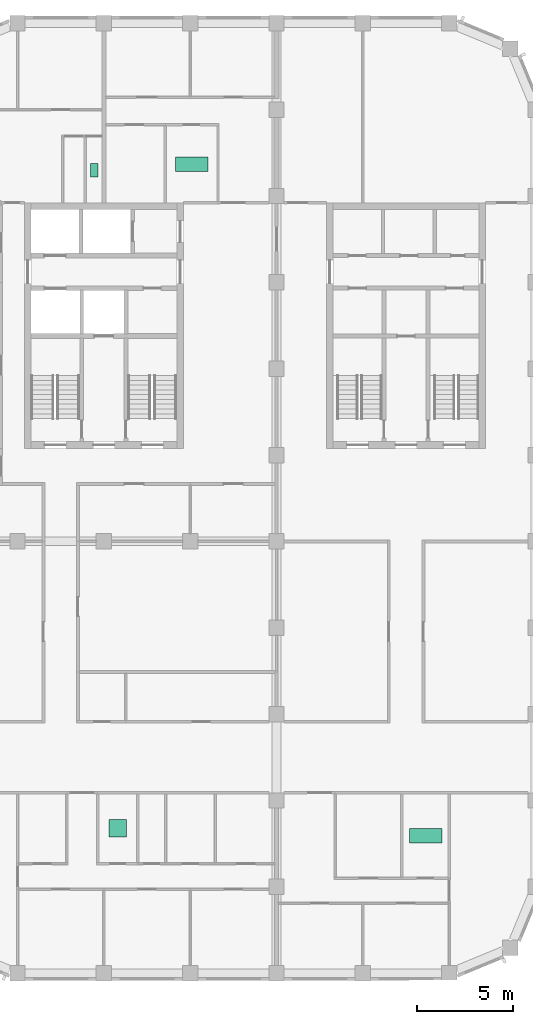
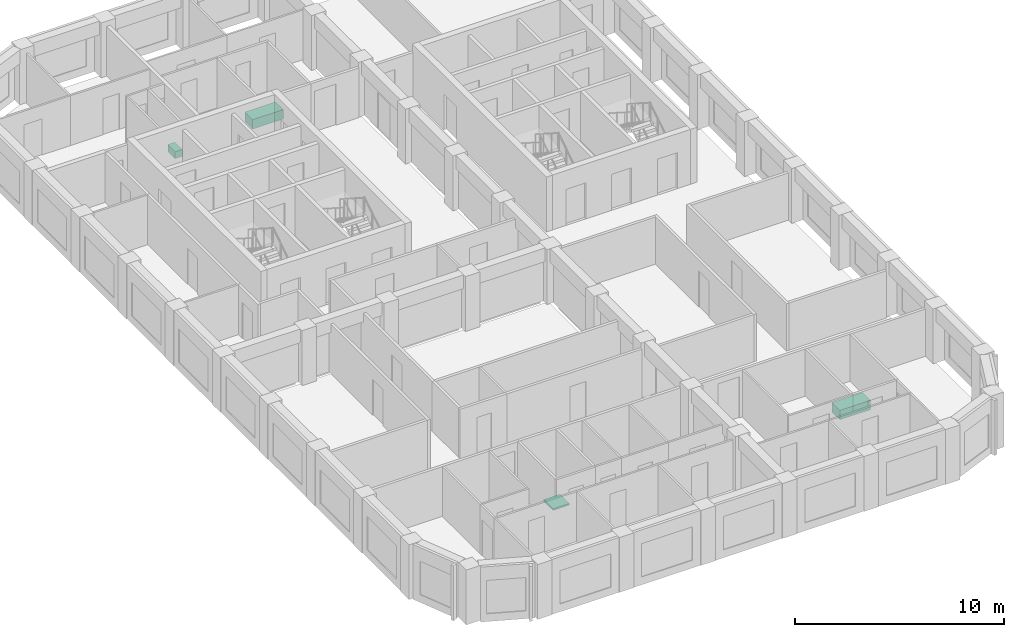
# One storey, part 10 of 10: 4 sanitary terminals.
"""IFC4 building model written with IfcOpenShell, lengths in metres."""

from ifc_helpers import new_model, si_unit, direction, frame, origin, origin_2d, place, context, subcontext, project, spatial, rectangle, extrude, material, type_object, element, save


model = new_model("IFC4")

# Units and contexts
model_context = context("Model", 3, precision=1e-05, world=origin(), true_north=direction((0.0, 1.0)))
body_context = subcontext(model_context, "Body", "Model", "MODEL_VIEW")
ifc_project = project(units=[si_unit("LENGTHUNIT", "METRE"), si_unit("AREAUNIT", "SQUARE_METRE"), si_unit("VOLUMEUNIT", "CUBIC_METRE"), si_unit("PLANEANGLEUNIT", "RADIAN"), si_unit("MASSUNIT", "GRAM", prefix="KILO")], contexts=[model_context])

# Site, building, storey
site_placement = place(None, origin())
site = spatial("IfcSite", under=ifc_project, at=site_placement, CompositionType="ELEMENT")
building_placement = place(site_placement, origin())
building = spatial("IfcBuilding", under=site, at=building_placement, Name="Girih Gate Residences", CompositionType="ELEMENT")
storey_placement = place(building_placement, frame((0.0, 0.0, 195.5)))
storey = spatial("IfcBuildingStorey", under=building, at=storey_placement, Name="L54", CompositionType="ELEMENT", Elevation=195.5)

# Sanitary terminals
ifc_material_1 = material(Name="Acrylic")
sanitary_terminal_type_1 = type_object("IfcSanitaryTerminalType", Name="Bath 1700", PredefinedType="BATH", material=ifc_material_1)
for number, where, z_axis, x_axis, name in (
    (1, (13.574951171875, 42.154052734375, 0.0), (0.0, 0.0, 1.0), (1.0, 0.0, 0.0), "Bath 1700 L54"),
    (2, (25.76708984375, 7.1640625, 0.0), (0.0, 0.0, 1.0), (1.0, 0.0, 0.0), "Bath 1700 L54"),
):
    element("IfcSanitaryTerminal", number, at=place(storey_placement, frame(where, z_axis=z_axis, x_axis=x_axis)), inside=storey, type_object=sanitary_terminal_type_1, Name=name, PredefinedType="BATH", context=body_context, shape_type="SweptSolid", body=[
        extrude(rectangle(XDim=1.699951171875, YDim=0.75, at=origin_2d()), origin(), (0.0, 0.0, 1.0), 0.550048828125),
    ])
sanitary_terminal_type_2 = type_object("IfcSanitaryTerminalType", Name="Shower tray 900", PredefinedType="SHOWER", material=ifc_material_1)
sanitary_terminal_1_placement = place(storey_placement, frame((9.72412109375, 7.5439453125, 0.0), z_axis=(0.0, 0.0, 1.0), x_axis=(1.0, 0.0, 0.0)))
element("IfcSanitaryTerminal", 3, at=sanitary_terminal_1_placement, inside=storey, type_object=sanitary_terminal_type_2, Name="Shower tray 900 L54", PredefinedType="SHOWER", context=body_context, shape_type="SweptSolid", body=[
    extrude(rectangle(XDim=0.89990234375, YDim=0.89990234375, at=origin_2d()), origin(), (0.0, 0.0, 1.0), 0.10009765625),
])
ifc_material_2 = material(Name="Vitreous china")
sanitary_terminal_type_3 = type_object("IfcSanitaryTerminalType", Name="WC pan", PredefinedType="TOILETPAN", material=ifc_material_2)
sanitary_terminal_2_placement = place(storey_placement, frame((8.492919921875, 41.85400390625, 0.0), z_axis=(0.0, 0.0, 1.0), x_axis=(1.0, 0.0, 0.0)))
element("IfcSanitaryTerminal", 4, at=sanitary_terminal_2_placement, inside=storey, type_object=sanitary_terminal_type_3, Name="WC pan L54", PredefinedType="TOILETPAN", context=body_context, shape_type="SweptSolid", body=[
    extrude(rectangle(XDim=0.39990234375, YDim=0.699951171875, at=origin_2d()), origin(), (0.0, 0.0, 1.0), 0.39990234375),
])

save(model, "model.ifc")
